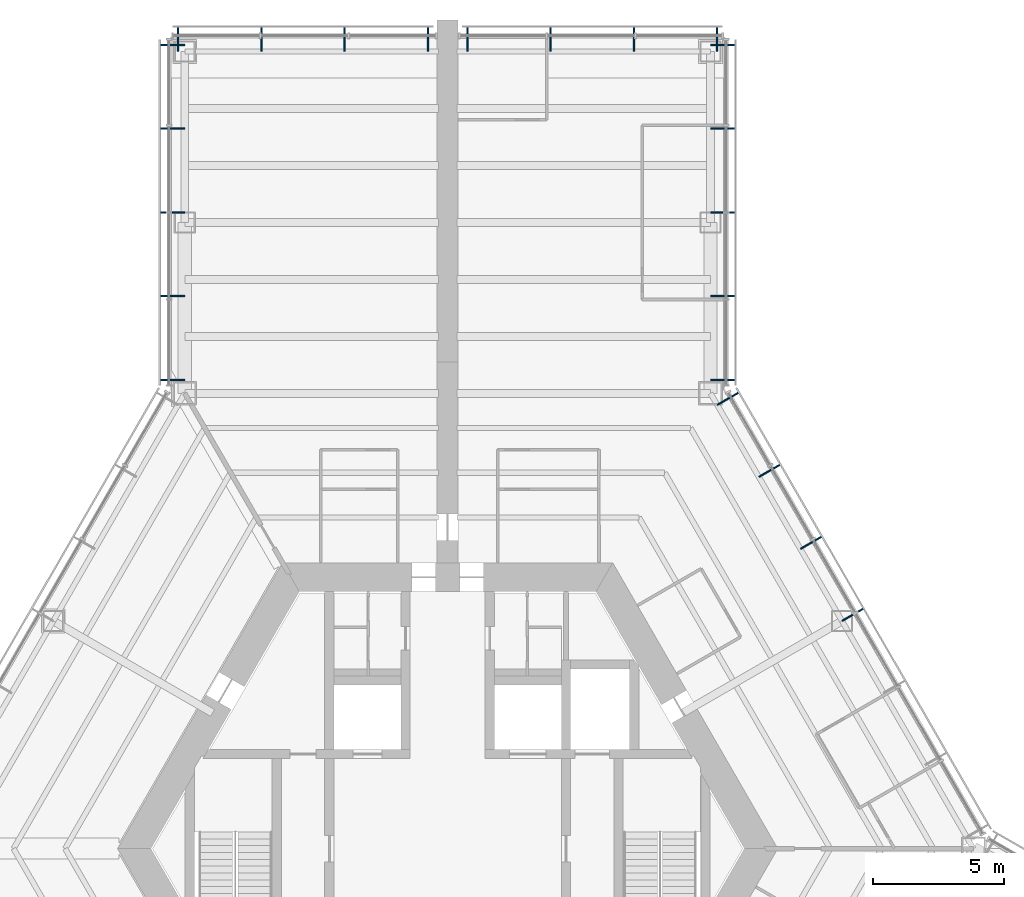
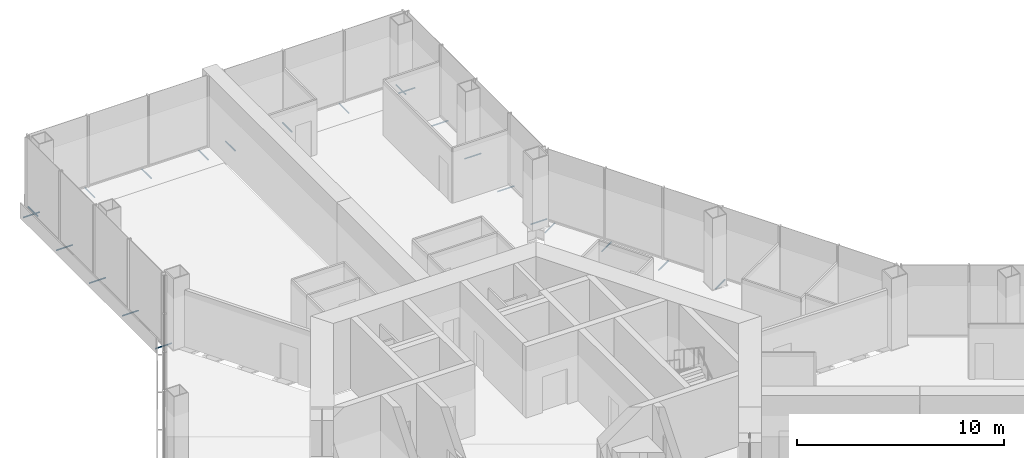
# One storey, part 15 of 18: 22 discrete accessories.
"""IFC4 building model written with IfcOpenShell, lengths in metres."""

from ifc_helpers import new_model, si_unit, direction, frame, origin, origin_2d, place, context, subcontext, project, spatial, hollow_circle, extrude, material, material_profile, profile_set, type_object, element, save


model = new_model("IFC4")

# Units and contexts
model_context = context("Model", 3, precision=1e-05, world=origin(), true_north=direction((0.0, 1.0)))
body_context = subcontext(model_context, "Body", "Model", "MODEL_VIEW")
ifc_project = project(units=[si_unit("LENGTHUNIT", "METRE"), si_unit("AREAUNIT", "SQUARE_METRE"), si_unit("VOLUMEUNIT", "CUBIC_METRE"), si_unit("PLANEANGLEUNIT", "RADIAN"), si_unit("MASSUNIT", "GRAM", prefix="KILO")], contexts=[model_context])

# Site, building, storey
site_placement = place(None, origin())
site = spatial("IfcSite", under=ifc_project, at=site_placement, CompositionType="ELEMENT")
building_placement = place(site_placement, origin())
building = spatial("IfcBuilding", under=site, at=building_placement, Name="Kasaneha Research Tower", CompositionType="ELEMENT")
storey_placement = place(building_placement, frame((0.0, 0.0, 57.0)))
storey = spatial("IfcBuildingStorey", under=building, at=storey_placement, Name="L14", CompositionType="ELEMENT", Elevation=57.0)

# Discrete accessories
ifc_material = material(Name="Steel STK400", Category="steel")
ifc_material_profile = material_profile(ifc_material, hollow_circle(Radius=0.0380859375, WallThickness=0.00390625, at=origin_2d()), Name="CHS-76.3x4.0")
ifc_profile_set = profile_set([ifc_material_profile], Name="Steel STK400")
discrete_accessory_type = type_object("IfcDiscreteAccessoryType", Name="Screen bracket CHS-76.3x4.0", PredefinedType="BRACKET", material=ifc_profile_set)
for number, where, z_axis, x_axis, name in (
    (1, (15.0, 8.66015625, -0.320068359375), (0.865898279276, 0.500220121494, 0.0), (-0.500220121494, 0.865898279276, 0.0), "Screen bracket 4"),
    (2, (13.41845703125, 11.399658203125, -0.320068359375), (0.866013213425, 0.500021113727, 0.0), (-0.500021113727, 0.866013213425, 0.0), "Screen bracket 5"),
    (3, (11.8369140625, 14.138916015625, -0.320068359375), (0.866013213425, 0.500021113727, 0.0), (-0.500021113727, 0.866013213425, 0.0), "Screen bracket 6"),
):
    element("IfcDiscreteAccessory", number, at=place(storey_placement, frame(where, z_axis=z_axis, x_axis=x_axis)), inside=storey, type_object=discrete_accessory_type, Name=name, PredefinedType="BRACKET", context=body_context, shape_type="SweptSolid", body=[
        extrude(hollow_circle(Radius=0.0380859375, WallThickness=0.00390625, at=origin_2d()), origin(), (0.0, 0.0, 1.0), 0.919921875),
    ])
discrete_accessory_placement = place(storey_placement, frame((10.25537109375, 16.878173828125, -0.320068359375), z_axis=(0.866079547155, 0.499906209203, 0.0), x_axis=(-0.499906209203, 0.866079547155, 0.0)))
element("IfcDiscreteAccessory", 4, at=discrete_accessory_placement, inside=storey, type_object=discrete_accessory_type, Name="Screen bracket 7", PredefinedType="BRACKET", context=body_context, shape_type="SweptSolid", body=[
    extrude(hollow_circle(Radius=0.0380859375, WallThickness=0.00390625, at=origin_2d()), origin(), (0.0, 0.0, 1.0), 0.920166015625),
])
for number, where, z_axis, x_axis, name in (
    (5, (10.0, 17.831298828125, -0.320068359375), (1.0, 0.0, 0.0), (0.0, 1.0, 0.0), "Screen bracket 1"),
    (6, (10.0, 21.01611328125, -0.320068359375), (1.0, 0.0, 0.0), (0.0, 1.0, 0.0), "Screen bracket 2"),
    (7, (10.0, 24.200927734375, -0.320068359375), (1.0, 0.0, 0.0), (0.0, 1.0, 0.0), "Screen bracket 3"),
    (8, (10.0, 27.3857421875, -0.320068359375), (1.0, 0.0, 0.0), (0.0, 1.0, 0.0), "Screen bracket 4"),
    (9, (10.0, 30.570556640625, -0.320068359375), (1.0, 0.0, 0.0), (0.0, 1.0, 0.0), "Screen bracket 5"),
    (10, (10.25, 30.320556640625, -0.320068359375), (0.0, 1.0, 0.0), (-1.0, 0.0, 0.0), "Screen bracket 1"),
    (11, (7.083251953125, 30.320556640625, -0.320068359375), (0.0, 1.0, 0.0), (-1.0, 0.0, 0.0), "Screen bracket 2"),
    (12, (3.916748046875, 30.320556640625, -0.320068359375), (0.0, 1.0, 0.0), (-1.0, 0.0, 0.0), "Screen bracket 3"),
    (13, (0.75, 30.320556640625, -0.320068359375), (0.0, 1.0, 0.0), (-1.0, 0.0, 0.0), "Screen bracket 4"),
    (14, (-0.75, 30.320556640625, -0.320068359375), (0.0, 1.0, 0.0), (-1.0, 0.0, 0.0), "Screen bracket 1"),
    (15, (-3.916748046875, 30.320556640625, -0.320068359375), (0.0, 1.0, 0.0), (-1.0, 0.0, 0.0), "Screen bracket 2"),
    (16, (-7.083251953125, 30.320556640625, -0.320068359375), (0.0, 1.0, 0.0), (-1.0, 0.0, 0.0), "Screen bracket 3"),
    (17, (-10.25, 30.320556640625, -0.320068359375), (0.0, 1.0, 0.0), (-1.0, 0.0, 0.0), "Screen bracket 4"),
    (18, (-10.0, 30.570556640625, -0.320068359375), (-1.0, 0.0, 0.0), (0.0, -1.0, 0.0), "Screen bracket 1"),
    (19, (-10.0, 27.3857421875, -0.320068359375), (-1.0, 0.0, 0.0), (0.0, -1.0, 0.0), "Screen bracket 2"),
    (20, (-10.0, 24.200927734375, -0.320068359375), (-1.0, 0.0, 0.0), (0.0, -1.0, 0.0), "Screen bracket 3"),
    (21, (-10.0, 21.01611328125, -0.320068359375), (-1.0, 0.0, 0.0), (0.0, -1.0, 0.0), "Screen bracket 4"),
    (22, (-10.0, 17.831298828125, -0.320068359375), (-1.0, 0.0, 0.0), (0.0, -1.0, 0.0), "Screen bracket 5"),
):
    element("IfcDiscreteAccessory", number, at=place(storey_placement, frame(where, z_axis=z_axis, x_axis=x_axis)), inside=storey, type_object=discrete_accessory_type, Name=name, PredefinedType="BRACKET", context=body_context, shape_type="SweptSolid", body=[
        extrude(hollow_circle(Radius=0.0380859375, WallThickness=0.00390625, at=origin_2d()), origin(), (0.0, 0.0, 1.0), 0.919921875),
    ])

save(model, "model.ifc")
